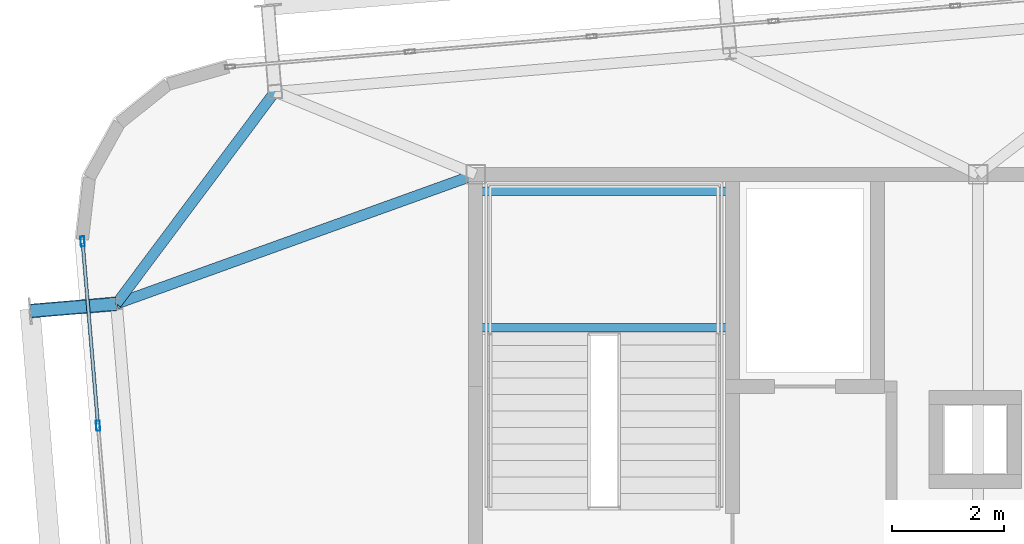
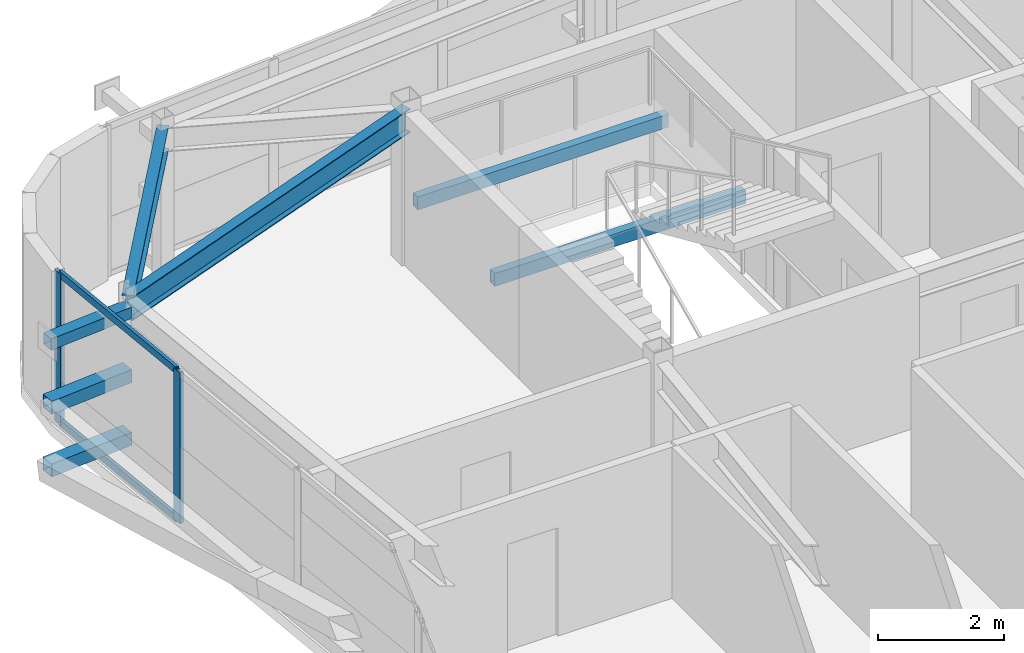
# One storey, part 17 of 44: 7 members, 4 beams, 1 element without a shape of its own.
"""IFC4 building model written with IfcOpenShell, lengths in metres."""

from ifc_helpers import new_model, si_unit, direction, frame, origin, origin_2d, place, context, subcontext, project, spatial, hollow_rectangle, i_section, extrude, source, transform, mapped, material, layer, layer_set, material_profile, profile_set, type_object, element, aggregate, save


model = new_model("IFC4")

# Units and contexts
model_context = context("Model", 3, precision=1e-05, world=origin(), true_north=direction((0.0, 1.0)))
body_context = subcontext(model_context, "Body", "Model", "MODEL_VIEW")
ifc_project = project(units=[si_unit("LENGTHUNIT", "METRE"), si_unit("AREAUNIT", "SQUARE_METRE"), si_unit("VOLUMEUNIT", "CUBIC_METRE"), si_unit("PLANEANGLEUNIT", "RADIAN"), si_unit("MASSUNIT", "GRAM", prefix="KILO")], contexts=[model_context])

# Site, building, storey
site_placement = place(None, origin())
site = spatial("IfcSite", under=ifc_project, at=site_placement, CompositionType="ELEMENT")
building_placement = place(site_placement, origin())
building = spatial("IfcBuilding", under=site, at=building_placement, Name="Taldren Reach Tower", CompositionType="ELEMENT")
storey_placement = place(building_placement, frame((0.0, 0.0, 191.449951171875)))
storey = spatial("IfcBuildingStorey", under=building, at=storey_placement, Name="L58", CompositionType="ELEMENT", Elevation=191.449951171875)

# Beams
ifc_material_1 = material(Name="Steel Gr 350 (350PLUS)", Category="steel")
ifc_material_profile_1 = material_profile(ifc_material_1, i_section(OverallWidth=0.18994140625, OverallDepth=0.4541015625, WebThickness=0.008544921875, FlangeThickness=0.0126953125, at=origin_2d()), Name="460UB67.1")
ifc_profile_set_1 = profile_set([ifc_material_profile_1], Name="Steel Gr 350 (350PLUS)")
beam_type_1 = type_object("IfcBeamType", Name="SP-UB460B", PredefinedType="SPANDREL", material=ifc_profile_set_1)
shared_shape_1 = source(origin(), body_context, "Body", "SweptSolid", [
    extrude(i_section(OverallWidth=0.18994140625, OverallDepth=0.4541015625, WebThickness=0.008544921875, FlangeThickness=0.0126953125, at=origin_2d()), origin(), (0.0, 0.0, 1.0), 4.74609375),
])
beam_1_placement = place(storey_placement, frame((15.40380859375, 33.483642578125, 2.703125), z_axis=(-0.598764719121, -0.800924972226, 0.0), x_axis=(0.800924972226, -0.598764719121, 0.0)))
element("IfcBeam", 1, at=beam_1_placement, inside=storey, type_object=beam_type_1, Name="Perimeter spandrel B4 N1-W3 L58", PredefinedType="SPANDREL", context=body_context, shape_type="MappedRepresentation", body=[
    mapped(shared_shape_1, transform((0.0, 0.0, 0.0), scale=1.0)),
])
ifc_material_profile_2 = material_profile(ifc_material_1, i_section(OverallWidth=0.19091796875, OverallDepth=0.4599609375, WebThickness=0.010009765625, FlangeThickness=0.01611328125, at=origin_2d()), Name="460UB82.1")
ifc_profile_set_2 = profile_set([ifc_material_profile_2], Name="Steel Gr 350 (350PLUS)")
beam_type_2 = type_object("IfcBeamType", Name="BM-UB460A", PredefinedType="BEAM", material=ifc_profile_set_2)
shared_shape_2 = source(origin(), body_context, "Body", "SweptSolid", [
    extrude(i_section(OverallWidth=0.19091796875, OverallDepth=0.4599609375, WebThickness=0.010009765625, FlangeThickness=0.01611328125, at=origin_2d()), origin(), (0.0, 0.0, 1.0), 6.842529296875),
])
beam_2_placement = place(storey_placement, frame((19.0, 32.0, 2.699951171875), z_axis=(-0.940889686088, -0.33871315093, 0.0), x_axis=(0.33871315093, -0.940889686088, 0.0)))
element("IfcBeam", 2, at=beam_2_placement, inside=storey, type_object=beam_type_2, Name="Primary floor girder B4-W3 L58", PredefinedType="BEAM", context=body_context, shape_type="MappedRepresentation", body=[
    mapped(shared_shape_2, transform((0.0, 0.0, 0.0), scale=1.0)),
])

# Members
ifc_material_2 = material(Name="Steel Gr 450 (C450L0)", Category="steel")
ifc_material_profile_3 = material_profile(ifc_material_2, hollow_rectangle(XDim=0.219970703125, YDim=0.219970703125, WallThickness=0.00830078125, at=origin_2d()), Name="220x220x8.2SHS")
ifc_profile_set_3 = profile_set([ifc_material_profile_3], Name="Steel Gr 450 (C450L0)")
member_type_1 = type_object("IfcMemberType", Name="MB-TIE219", PredefinedType="STRUT", material=ifc_profile_set_3)
shared_shape_3 = source(origin(), body_context, "Body", "SweptSolid", [
    extrude(hollow_rectangle(XDim=0.219970703125, YDim=0.219970703125, WallThickness=0.00830078125, at=origin_2d()), origin(), (0.0, 0.0, 1.0), 1.54541015625),
])
member_1_placement = place(storey_placement, frame((12.557373046875, 29.68212890625, 2.650146484375), z_axis=(-0.99648887425, -0.083725285883, 0.0), x_axis=(0.083725285883, -0.99648887425, 0.0)))
element("IfcMember", 3, at=member_1_placement, inside=storey, type_object=member_type_1, Name="Exoskeleton diaphragm tie strut B4-W3 L58", PredefinedType="STRUT", context=body_context, shape_type="MappedRepresentation", body=[
    mapped(shared_shape_3, transform((0.0, 0.0, 0.0), scale=1.0)),
])
ifc_material_3 = material(Name="Steel Gr 350 (C350L0)", Category="steel")
ifc_material_profile_4 = material_profile(ifc_material_3, hollow_rectangle(XDim=0.25, YDim=0.25, WallThickness=0.010009765625, at=origin_2d()), Name="250x250x10.0SHS")
ifc_profile_set_4 = profile_set([ifc_material_profile_4], Name="Steel Gr 350 (C350L0)")
member_type_2 = type_object("IfcMemberType", Name="MB-POST250", PredefinedType="POST", material=ifc_profile_set_4)
shared_shape_4 = source(origin(), body_context, "Body", "SweptSolid", [
    extrude(hollow_rectangle(XDim=0.25, YDim=0.25, WallThickness=0.010009765625, at=origin_2d()), origin(), (0.0, 0.0, 1.0), 1.54541015625),
])
for number, where, z_axis, x_axis, name in (
    (4, (12.557373046875, 29.68212890625, 0.219970703125), (-0.99648887425, -0.083725285883, 0.0), (0.083725285883, -0.99648887425, 0.0), "Exoskeleton base diaphragm tie strut B4-W3 L58"),
    (5, (12.557373046875, 29.68212890625, 1.43505859375), (-0.99648887425, -0.083725285883, 0.0), (0.083725285883, -0.99648887425, 0.0), "Exoskeleton mid-tier diaphragm tie B4-W3 L58"),
):
    element("IfcMember", number, at=place(storey_placement, frame(where, z_axis=z_axis, x_axis=x_axis)), inside=storey, type_object=member_type_2, Name=name, PredefinedType="POST", context=body_context, shape_type="MappedRepresentation", body=[
        mapped(shared_shape_4, transform((0.0, 0.0, 0.0), scale=1.0)),
    ])

# Curtain wall, members
ifc_material_4 = material(Name="Aluminium and Low-E Glass Unitised System", Category="aluminium")
ifc_layer = layer(ifc_material_4, 0.159912109375)
ifc_layer_set = layer_set([ifc_layer], Name="Aluminium and Low-E Glass Unitised System")
curtain_wall_type = type_object("IfcCurtainWallType", Name="CW-SYS-5", PredefinedType="NOTDEFINED", material=ifc_layer_set)
curtain_wall_placement = place(storey_placement, origin())
curtain_wall = element("IfcCurtainWall", 6, at=curtain_wall_placement, inside=storey, type_object=curtain_wall_type, Name="Unitised curtain wall CW-L58-W", PredefinedType="NOTDEFINED")
ifc_material_5 = material(Name="Anodised Aluminium 6063-T6", Category="aluminium")
ifc_material_profile_5 = material_profile(ifc_material_5, hollow_rectangle(XDim=0.070068359375, YDim=0.179931640625, WallThickness=0.00390625, at=origin_2d()), Name="ALU-180x70x4RHS")
ifc_profile_set_5 = profile_set([ifc_material_profile_5], Name="Anodised Aluminium 6063-T6")
member_type_3 = type_object("IfcMemberType", Name="CW-MUL-180", PredefinedType="MULLION", material=ifc_profile_set_5)
shared_shape_5 = source(origin(), body_context, "Body", "SweptSolid", [
    extrude(hollow_rectangle(XDim=0.070068359375, YDim=0.179931640625, WallThickness=0.00390625, at=origin_2d()), origin(), (0.0, 0.0, 1.0), 2.929931640625),
])
member_2_placement = place(storey_placement, frame((11.956298828125, 30.800537109375, 0.0), z_axis=(0.0, 0.0, 1.0), x_axis=(0.996492847789, 0.083677979808, 0.0)))
member_2 = element("IfcMember", 7, at=member_2_placement, type_object=member_type_3, Name="CW-5 mullion 1", PredefinedType="MULLION", context=body_context, shape_type="MappedRepresentation", body=[
    mapped(shared_shape_5, transform((0.0, 0.0, 0.0), scale=1.0)),
])
member_3_placement = place(storey_placement, frame((12.233642578125, 27.497314453125, 0.0), z_axis=(0.0, 0.0, 1.0), x_axis=(0.996492847789, 0.083677979808, 0.0)))
member_3 = element("IfcMember", 8, at=member_3_placement, type_object=member_type_3, Name="CW-5 mullion 2", PredefinedType="MULLION", context=body_context, shape_type="MappedRepresentation", body=[
    mapped(shared_shape_5, transform((0.0, 0.0, 0.0), scale=1.0)),
])
ifc_material_profile_6 = material_profile(ifc_material_5, hollow_rectangle(XDim=0.06005859375, YDim=0.135009765625, WallThickness=0.00341796875, at=origin_2d()), Name="ALU-135x60x3.5RHS")
ifc_profile_set_6 = profile_set([ifc_material_profile_6], Name="Anodised Aluminium 6063-T6")
member_type_4 = type_object("IfcMemberType", Name="CW-TRN-150", PredefinedType="USERDEFINED", material=ifc_profile_set_6)
shared_shape_6 = source(origin(), body_context, "Body", "SweptSolid", [
    extrude(hollow_rectangle(XDim=0.06005859375, YDim=0.135009765625, WallThickness=0.00341796875, at=origin_2d()), origin(), (0.0, 0.0, 1.0), 3.2451171875),
])
member_4_placement = place(storey_placement, frame((11.959228515625, 30.765869140625, 0.030029296875), z_axis=(0.083661876203, -0.996494199918, 0.0), x_axis=(0.996494199918, 0.083661876203, 0.0)))
member_4 = element("IfcMember", 9, at=member_4_placement, type_object=member_type_4, Name="CW-5 transom 1.1", ObjectType="TRANSOM", PredefinedType="USERDEFINED", context=body_context, shape_type="MappedRepresentation", body=[
    mapped(shared_shape_6, transform((0.0, 0.0, 0.0), scale=1.0)),
])
member_5_placement = place(storey_placement, frame((11.959228515625, 30.765869140625, 2.900146484375), z_axis=(0.083661876203, -0.996494199918, 0.0), x_axis=(0.996494199918, 0.083661876203, 0.0)))
member_5 = element("IfcMember", 10, at=member_5_placement, type_object=member_type_4, Name="CW-5 transom 1.2", ObjectType="TRANSOM", PredefinedType="USERDEFINED", context=body_context, shape_type="MappedRepresentation", body=[
    mapped(shared_shape_6, transform((0.0, 0.0, 0.0), scale=1.0)),
])
aggregate(curtain_wall, [member_2, member_3, member_4, member_5])

# Beams
ifc_material_profile_7 = material_profile(ifc_material_3, hollow_rectangle(XDim=0.14990234375, YDim=0.25, WallThickness=0.009033203125, at=origin_2d()), Name="250x150x9.0RHS")
ifc_profile_set_7 = profile_set([ifc_material_profile_7], Name="Steel Gr 350 (C350L0)")
beam_type_3 = type_object("IfcBeamType", Name="LN-RHS250", PredefinedType="LINTEL", material=ifc_profile_set_7)
shared_shape_7 = source(origin(), body_context, "Body", "SweptSolid", [
    extrude(hollow_rectangle(XDim=0.14990234375, YDim=0.25, WallThickness=0.009033203125, at=origin_2d()), origin(), (0.0, 0.0, 1.0), 4.60009765625),
])
for number, where, z_axis, x_axis, name in (
    (11, (19.0, 29.2548828125, 1.27001953125), (1.0, 0.0, 0.0), (0.0, 1.0, 0.0), "Stair half-landing support beam ST1-L58-1"),
    (12, (19.0, 31.699951171875, 1.27001953125), (1.0, 0.0, 0.0), (0.0, 1.0, 0.0), "Stair half-landing support beam ST1-L58-2"),
):
    element("IfcBeam", number, at=place(storey_placement, frame(where, z_axis=z_axis, x_axis=x_axis)), inside=storey, type_object=beam_type_3, Name=name, PredefinedType="LINTEL", context=body_context, shape_type="MappedRepresentation", body=[
        mapped(shared_shape_7, transform((0.0, 0.0, 0.0), scale=1.0)),
    ])

save(model, "model.ifc")
